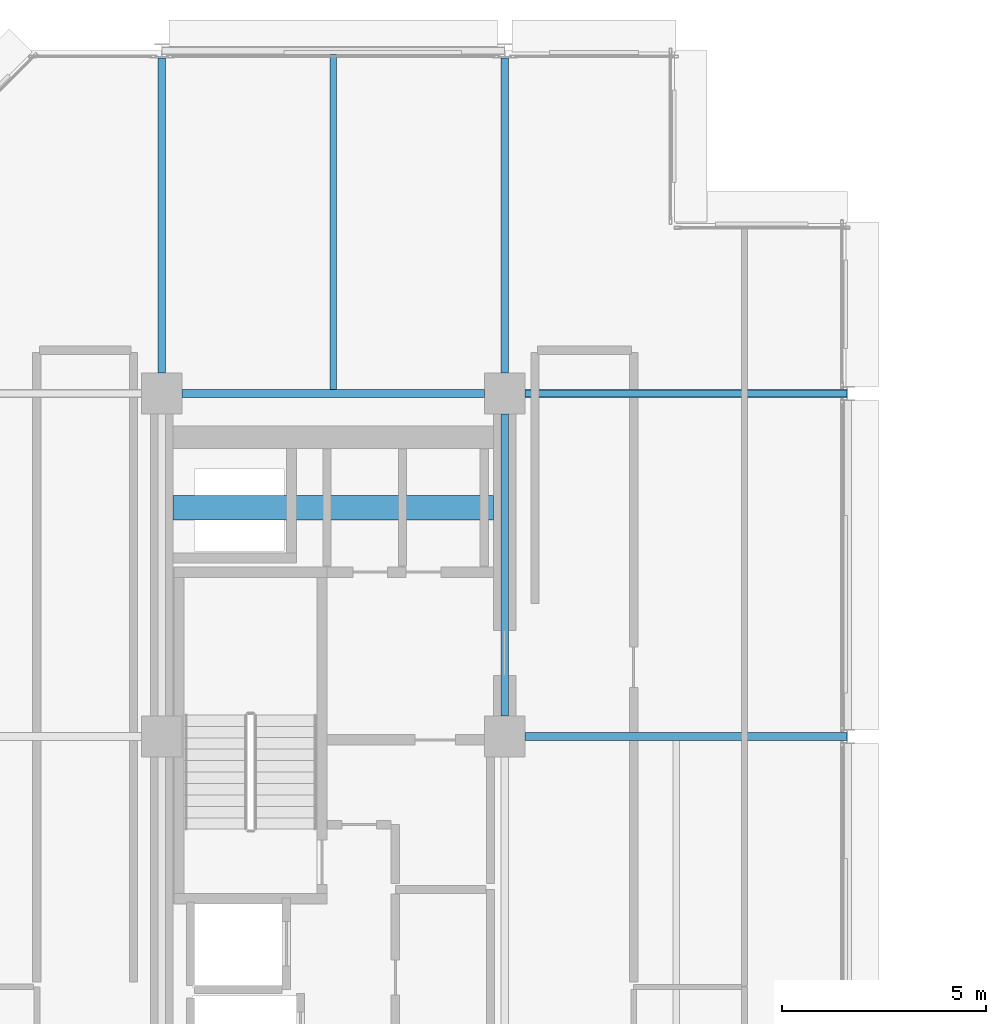
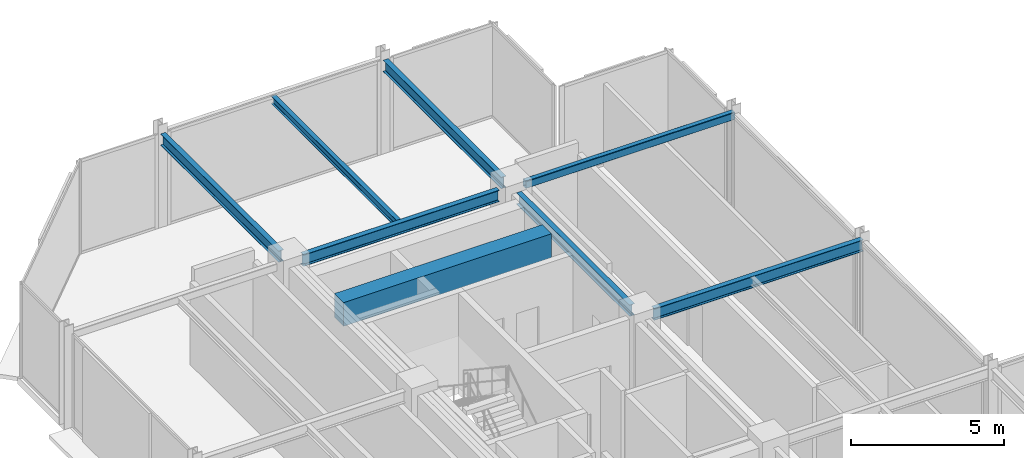
# One storey, part 18 of 30: 8 beams.
"""IFC4 building model written with IfcOpenShell, lengths in metres."""

from ifc_helpers import new_model, si_unit, direction, frame, origin, origin_2d, place, context, subcontext, project, spatial, rectangle, hollow_rectangle, i_section, extrude, material, material_profile, profile_set, type_object, element, save


model = new_model("IFC4")

# Units and contexts
model_context = context("Model", 3, precision=1e-05, world=origin(), true_north=direction((0.0, 1.0)))
body_context = subcontext(model_context, "Body", "Model", "MODEL_VIEW")
ifc_project = project(units=[si_unit("LENGTHUNIT", "METRE"), si_unit("AREAUNIT", "SQUARE_METRE"), si_unit("VOLUMEUNIT", "CUBIC_METRE"), si_unit("PLANEANGLEUNIT", "RADIAN"), si_unit("MASSUNIT", "GRAM", prefix="KILO")], contexts=[model_context])

# Site, building, storey
site_placement = place(None, origin())
site = spatial("IfcSite", under=ifc_project, at=site_placement, CompositionType="ELEMENT")
building_placement = place(site_placement, origin())
building = spatial("IfcBuilding", under=site, at=building_placement, Name="Nerrivon Quay Data Exchange", CompositionType="ELEMENT")
storey_placement = place(building_placement, frame((0.0, 0.0, 216.5)))
storey = spatial("IfcBuildingStorey", under=building, at=storey_placement, Name="L51", CompositionType="ELEMENT", Elevation=216.5)

# Beams
ifc_material_1 = material(Name="Concrete N50 (50 MPa)", Category="concrete")
ifc_material_profile_1 = material_profile(ifc_material_1, rectangle(XDim=0.60009765625, YDim=0.949951171875, at=origin_2d()), Name="RC-CB-600x950")
ifc_profile_set_1 = profile_set([ifc_material_profile_1], Name="Concrete N50 (50 MPa)")
beam_type_1 = type_object("IfcBeamType", Name="BM-CB2-600x950", PredefinedType="LINTEL", material=ifc_profile_set_1)
beam_1_placement = place(storey_placement, frame((8.675048828125, 39.199951171875, 3.27490234375), z_axis=(1.0, 0.0, 0.0), x_axis=(0.0, 1.0, 0.0)))
element("IfcBeam", 1, at=beam_1_placement, inside=storey, type_object=beam_type_1, Name="L51 West Core Coupling Beam", PredefinedType="LINTEL", context=body_context, shape_type="SweptSolid", body=[
    extrude(rectangle(XDim=0.60009765625, YDim=0.949951171875, at=origin_2d()), origin(), (0.0, 0.0, 1.0), 7.849853515625),
])
ifc_material_2 = material(Name="Steel Grade 350", Category="steel")
ifc_material_profile_2 = material_profile(ifc_material_2, i_section(OverallWidth=0.19091796875, OverallDepth=0.4599609375, WebThickness=0.010009765625, FlangeThickness=0.01611328125, FilletRadius=0.011474609375, at=origin_2d()), Name="460UB82.1")
ifc_profile_set_2 = profile_set([ifc_material_profile_2], Name="Steel Grade 350")
beam_type_2 = type_object("IfcBeamType", Name="BM-G5-460UB82", PredefinedType="BEAM", material=ifc_profile_set_2)
beam_2_placement = place(storey_placement, frame((17.300048828125, 33.60009765625, 3.52001953125), z_axis=(1.0, 0.0, 0.0), x_axis=(0.0, 1.0, 0.0)))
element("IfcBeam", 2, at=beam_2_placement, inside=storey, type_object=beam_type_2, Name="L51 EW Girder Y=33.6 (16.8..25.2)", PredefinedType="BEAM", context=body_context, shape_type="SweptSolid", body=[
    extrude(i_section(OverallWidth=0.19091796875, OverallDepth=0.4599609375, WebThickness=0.010009765625, FlangeThickness=0.01611328125, FilletRadius=0.011474609375, at=origin_2d()), origin(), (0.0, 0.0, 1.0), 7.889892578125),
])
beam_3_placement = place(storey_placement, frame((8.89990234375, 42.0, 3.52001953125), z_axis=(1.0, 0.0, 0.0), x_axis=(0.0, 1.0, 0.0)))
element("IfcBeam", 3, at=beam_3_placement, inside=storey, type_object=beam_type_2, Name="L51 EW Girder Y=42.0 (8.4..16.8)", PredefinedType="BEAM", context=body_context, shape_type="SweptSolid", body=[
    extrude(i_section(OverallWidth=0.19091796875, OverallDepth=0.4599609375, WebThickness=0.010009765625, FlangeThickness=0.01611328125, FilletRadius=0.011474609375, at=origin_2d()), origin(), (0.0, 0.0, 1.0), 7.400146484375),
])
ifc_material_profile_3 = material_profile(ifc_material_2, i_section(OverallWidth=0.18994140625, OverallDepth=0.4541015625, WebThickness=0.008544921875, FlangeThickness=0.0126953125, FilletRadius=0.011474609375, at=origin_2d()), Name="460UB67.1")
ifc_profile_set_3 = profile_set([ifc_material_profile_3], Name="Steel Grade 350")
beam_type_3 = type_object("IfcBeamType", Name="BM-G6-460UB67", PredefinedType="BEAM", material=ifc_profile_set_3)
beam_4_placement = place(storey_placement, frame((8.39990234375, 42.5, 3.52294921875), z_axis=(0.0, 1.0, 0.0), x_axis=(-1.0, 0.0, 0.0)))
element("IfcBeam", 4, at=beam_4_placement, inside=storey, type_object=beam_type_3, Name="L51 NS Girder X=8.4 (42.0..50.4)", PredefinedType="BEAM", context=body_context, shape_type="SweptSolid", body=[
    extrude(i_section(OverallWidth=0.18994140625, OverallDepth=0.4541015625, WebThickness=0.008544921875, FlangeThickness=0.0126953125, FilletRadius=0.011474609375, at=origin_2d()), origin(), (0.0, 0.0, 1.0), 7.72509765625),
])
beam_5_placement = place(storey_placement, frame((16.800048828125, 34.10009765625, 3.52294921875), z_axis=(0.0, 1.0, 0.0), x_axis=(-1.0, 0.0, 0.0)))
element("IfcBeam", 5, at=beam_5_placement, inside=storey, type_object=beam_type_3, Name="L51 NS Girder X=16.8 (33.6..42.0)", PredefinedType="BEAM", context=body_context, shape_type="SweptSolid", body=[
    extrude(i_section(OverallWidth=0.18994140625, OverallDepth=0.4541015625, WebThickness=0.008544921875, FlangeThickness=0.0126953125, FilletRadius=0.011474609375, at=origin_2d()), origin(), (0.0, 0.0, 1.0), 7.39990234375),
])
beam_6_placement = place(storey_placement, frame((16.800048828125, 42.5, 3.52294921875), z_axis=(0.0, 1.0, 0.0), x_axis=(-1.0, 0.0, 0.0)))
element("IfcBeam", 6, at=beam_6_placement, inside=storey, type_object=beam_type_3, Name="L51 NS Girder X=16.8 (42.0..50.4)", PredefinedType="BEAM", context=body_context, shape_type="SweptSolid", body=[
    extrude(i_section(OverallWidth=0.18994140625, OverallDepth=0.4541015625, WebThickness=0.008544921875, FlangeThickness=0.0126953125, FilletRadius=0.011474609375, at=origin_2d()), origin(), (0.0, 0.0, 1.0), 7.72509765625),
])
ifc_material_profile_4 = material_profile(ifc_material_2, i_section(OverallWidth=0.166015625, OverallDepth=0.306884765625, WebThickness=0.006591796875, FlangeThickness=0.01171875, FilletRadius=0.011474609375, at=origin_2d()), Name="310UB46.2")
ifc_profile_set_4 = profile_set([ifc_material_profile_4], Name="Steel Grade 350")
beam_type_4 = type_object("IfcBeamType", Name="BM-J5-310UB46", PredefinedType="JOIST", material=ifc_profile_set_4)
beam_7_placement = place(storey_placement, frame((12.60009765625, 42.095458984375, 3.596435546875), z_axis=(0.0, 1.0, 0.0), x_axis=(-1.0, 0.0, 0.0)))
element("IfcBeam", 7, at=beam_7_placement, inside=storey, type_object=beam_type_4, Name="L51 Secondary Joist X=12.6 (42.0..50.4)", PredefinedType="JOIST", context=body_context, shape_type="SweptSolid", body=[
    extrude(i_section(OverallWidth=0.166015625, OverallDepth=0.306884765625, WebThickness=0.006591796875, FlangeThickness=0.01171875, FilletRadius=0.011474609375, at=origin_2d()), origin(), (0.0, 0.0, 1.0), 8.20458984375),
])
ifc_material_3 = material(Name="Steel Grade C350L0 (350 MPa)", Category="steel")
ifc_material_profile_5 = material_profile(ifc_material_3, hollow_rectangle(XDim=0.199951171875, YDim=0.300048828125, WallThickness=0.012451171875, InnerFilletRadius=0.018798828125, OuterFilletRadius=0.03125, at=origin_2d()), Name="300x200x12.5RHS")
ifc_profile_set_5 = profile_set([ifc_material_profile_5], Name="Steel Grade C350L0 (350 MPa)")
beam_type_5 = type_object("IfcBeamType", Name="BM-SP3-300x200RHS", PredefinedType="SPANDREL", material=ifc_profile_set_5)
beam_8_placement = place(storey_placement, frame((17.300048828125, 42.0, 3.60009765625), z_axis=(1.0, 0.0, 0.0), x_axis=(0.0, 1.0, 0.0)))
element("IfcBeam", 8, at=beam_8_placement, inside=storey, type_object=beam_type_5, Name="L51 EW Girder Y=42.0 (16.8..25.2)", PredefinedType="SPANDREL", context=body_context, shape_type="SweptSolid", body=[
    extrude(hollow_rectangle(XDim=0.199951171875, YDim=0.300048828125, WallThickness=0.012451171875, InnerFilletRadius=0.018798828125, OuterFilletRadius=0.03125, at=origin_2d()), origin(), (0.0, 0.0, 1.0), 7.889892578125),
])

save(model, "model.ifc")
